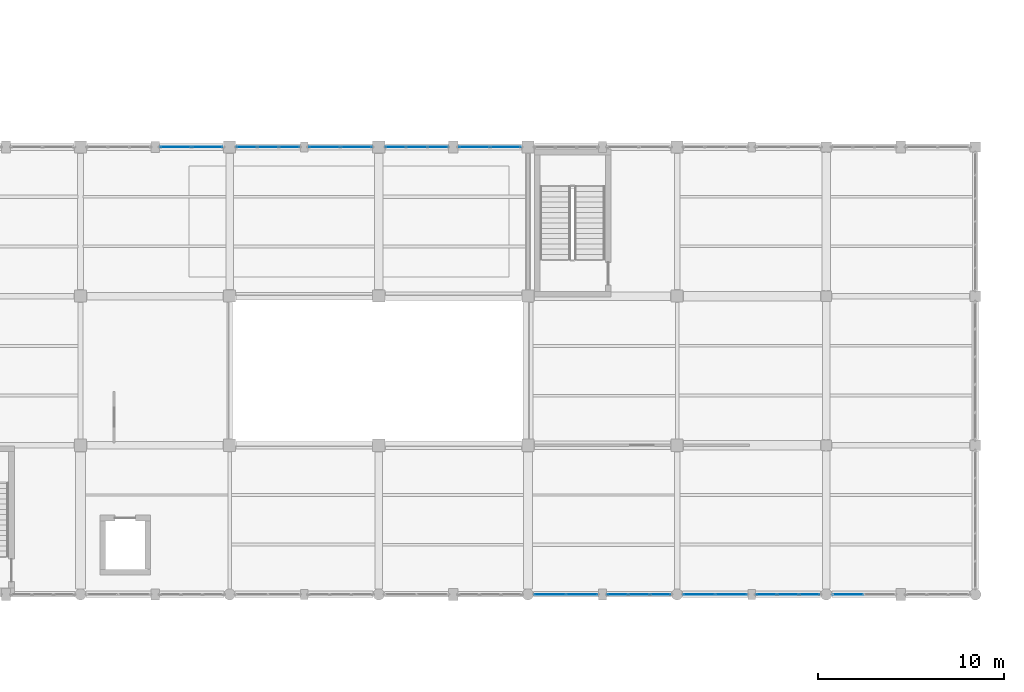
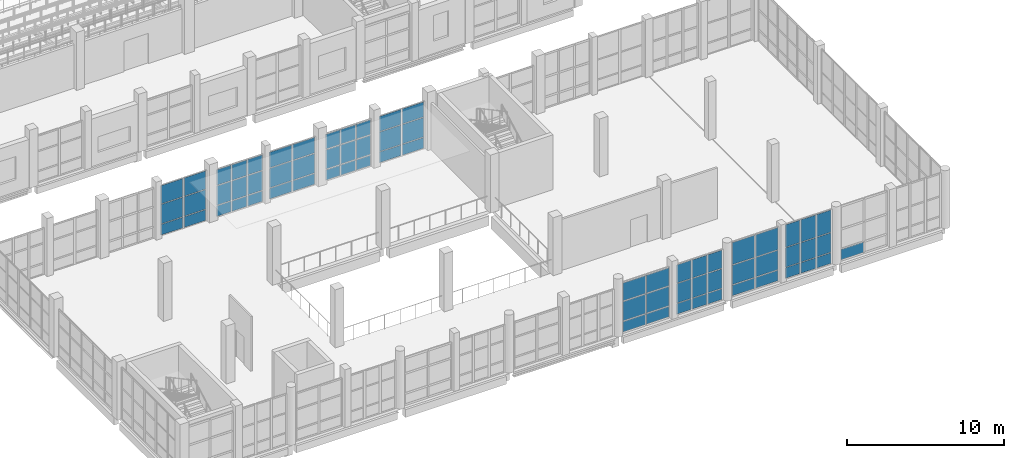
# One storey, part 117 of 183: 67 plates, 10 elements without a shape of their own.
"""IFC4 building model written with IfcOpenShell, lengths in metres."""

from ifc_helpers import new_model, si_unit, direction, frame, origin, origin_2d, place, context, subcontext, project, spatial, rectangle, extrude, material, layer, layer_set, type_object, element, aggregate, save


model = new_model("IFC4")

# Units and contexts
model_context = context("Model", 3, precision=1e-05, world=origin(), true_north=direction((0.0, 1.0)))
body_context = subcontext(model_context, "Body", "Model", "MODEL_VIEW")
ifc_project = project(units=[si_unit("LENGTHUNIT", "METRE"), si_unit("AREAUNIT", "SQUARE_METRE"), si_unit("VOLUMEUNIT", "CUBIC_METRE"), si_unit("PLANEANGLEUNIT", "RADIAN"), si_unit("MASSUNIT", "GRAM", prefix="KILO")], contexts=[model_context])

# Site, building, storey
site_placement = place(None, origin())
site = spatial("IfcSite", under=ifc_project, at=site_placement, CompositionType="ELEMENT")
building_placement = place(site_placement, origin())
building = spatial("IfcBuilding", under=site, at=building_placement, Name="Luwemba Playhouse", CompositionType="ELEMENT")
storey_placement = place(building_placement, frame((0.0, 0.0, 4.800048828125)))
storey = spatial("IfcBuildingStorey", under=building, at=storey_placement, Name="L01", CompositionType="ELEMENT", Elevation=4.800048828125)

# Curtain wall, plates
ifc_material = material(Name="Solar-control double glazing", Category="glass")
curtain_wall_type_1 = type_object("IfcCurtainWallType", Name="CW-CW95", PredefinedType="USERDEFINED", material=ifc_material)
curtain_wall_1_placement = place(storey_placement, origin())
curtain_wall_1 = element("IfcCurtainWall", 1, at=curtain_wall_1_placement, inside=storey, type_object=curtain_wall_type_1, Name="L01 V5W unitised curtain wall 126", ObjectType="UNITISED GLAZING", PredefinedType="USERDEFINED")
ifc_layer_1 = layer(ifc_material, 0.02392578125)
ifc_layer_set_1 = layer_set([ifc_layer_1], Name="Solar-control double glazing")
plate_type_1 = type_object("IfcPlateType", Name="CWP-P1", PredefinedType="CURTAIN_PANEL", material=ifc_layer_set_1)
plate_1_placement = place(storey_placement, frame((20.919189453125, 27.0, 0.059814453125), z_axis=(0.0, 0.0, 1.0), x_axis=(1.0, 0.0, 0.0)))
plate_1 = element("IfcPlate", 2, at=plate_1_placement, type_object=plate_type_1, Name="CW95 panel 1.1", PredefinedType="CURTAIN_PANEL", context=body_context, shape_type="SweptSolid", body=[
    extrude(rectangle(XDim=1.068359375, YDim=0.02392578125, at=origin_2d()), origin(), (0.0, 0.0, 1.0), 0.81005859375),
])
plate_2_placement = place(storey_placement, frame((20.919189453125, 27.0, 0.93017578125), z_axis=(0.0, 0.0, 1.0), x_axis=(1.0, 0.0, 0.0)))
plate_2 = element("IfcPlate", 3, at=plate_2_placement, type_object=plate_type_1, Name="CW95 panel 1.2", PredefinedType="CURTAIN_PANEL", context=body_context, shape_type="SweptSolid", body=[
    extrude(rectangle(XDim=1.068359375, YDim=0.02392578125, at=origin_2d()), origin(), (0.0, 0.0, 1.0), 1.489990234375),
])
plate_3_placement = place(storey_placement, frame((20.919189453125, 27.0, 2.47998046875), z_axis=(0.0, 0.0, 1.0), x_axis=(1.0, 0.0, 0.0)))
plate_3 = element("IfcPlate", 4, at=plate_3_placement, type_object=plate_type_1, Name="CW95 panel 1.3", PredefinedType="CURTAIN_PANEL", context=body_context, shape_type="SweptSolid", body=[
    extrude(rectangle(XDim=1.068359375, YDim=0.02392578125, at=origin_2d()), origin(), (0.0, 0.0, 1.0), 1.195068359375),
])
plate_4_placement = place(storey_placement, frame((22.0625, 27.0, 0.059814453125), z_axis=(0.0, 0.0, 1.0), x_axis=(1.0, 0.0, 0.0)))
plate_4 = element("IfcPlate", 5, at=plate_4_placement, type_object=plate_type_1, Name="CW95 panel 2.1", PredefinedType="CURTAIN_PANEL", context=body_context, shape_type="SweptSolid", body=[
    extrude(rectangle(XDim=1.098388671875, YDim=0.02392578125, at=origin_2d()), origin(), (0.0, 0.0, 1.0), 0.81005859375),
])
plate_5_placement = place(storey_placement, frame((22.0625, 27.0, 0.93017578125), z_axis=(0.0, 0.0, 1.0), x_axis=(1.0, 0.0, 0.0)))
plate_5 = element("IfcPlate", 6, at=plate_5_placement, type_object=plate_type_1, Name="CW95 panel 2.2", PredefinedType="CURTAIN_PANEL", context=body_context, shape_type="SweptSolid", body=[
    extrude(rectangle(XDim=1.098388671875, YDim=0.02392578125, at=origin_2d()), origin(), (0.0, 0.0, 1.0), 1.489990234375),
])
plate_6_placement = place(storey_placement, frame((22.0625, 27.0, 2.47998046875), z_axis=(0.0, 0.0, 1.0), x_axis=(1.0, 0.0, 0.0)))
plate_6 = element("IfcPlate", 7, at=plate_6_placement, type_object=plate_type_1, Name="CW95 panel 2.3", PredefinedType="CURTAIN_PANEL", context=body_context, shape_type="SweptSolid", body=[
    extrude(rectangle(XDim=1.098388671875, YDim=0.02392578125, at=origin_2d()), origin(), (0.0, 0.0, 1.0), 1.195068359375),
])
plate_7_placement = place(storey_placement, frame((23.205810546875, 27.0, 0.059814453125), z_axis=(0.0, 0.0, 1.0), x_axis=(1.0, 0.0, 0.0)))
plate_7 = element("IfcPlate", 8, at=plate_7_placement, type_object=plate_type_1, Name="CW95 panel 3.1", PredefinedType="CURTAIN_PANEL", context=body_context, shape_type="SweptSolid", body=[
    extrude(rectangle(XDim=1.068359375, YDim=0.02392578125, at=origin_2d()), origin(), (0.0, 0.0, 1.0), 0.81005859375),
])
plate_8_placement = place(storey_placement, frame((23.205810546875, 27.0, 0.93017578125), z_axis=(0.0, 0.0, 1.0), x_axis=(1.0, 0.0, 0.0)))
plate_8 = element("IfcPlate", 9, at=plate_8_placement, type_object=plate_type_1, Name="CW95 panel 3.2", PredefinedType="CURTAIN_PANEL", context=body_context, shape_type="SweptSolid", body=[
    extrude(rectangle(XDim=1.068359375, YDim=0.02392578125, at=origin_2d()), origin(), (0.0, 0.0, 1.0), 1.489990234375),
])
plate_9_placement = place(storey_placement, frame((23.205810546875, 27.0, 2.47998046875), z_axis=(0.0, 0.0, 1.0), x_axis=(1.0, 0.0, 0.0)))
plate_9 = element("IfcPlate", 10, at=plate_9_placement, type_object=plate_type_1, Name="CW95 panel 3.3", PredefinedType="CURTAIN_PANEL", context=body_context, shape_type="SweptSolid", body=[
    extrude(rectangle(XDim=1.068359375, YDim=0.02392578125, at=origin_2d()), origin(), (0.0, 0.0, 1.0), 1.195068359375),
])
aggregate(curtain_wall_1, [plate_1, plate_2, plate_3, plate_4, plate_5, plate_6, plate_7, plate_8, plate_9])

curtain_wall_type_2 = type_object("IfcCurtainWallType", Name="CW-CW110", PredefinedType="USERDEFINED", material=ifc_material)
curtain_wall_2_placement = place(storey_placement, origin())
curtain_wall_2 = element("IfcCurtainWall", 11, at=curtain_wall_2_placement, inside=storey, type_object=curtain_wall_type_2, Name="L01 V5W unitised curtain wall 142", ObjectType="UNITISED GLAZING", PredefinedType="USERDEFINED")
plate_10_placement = place(storey_placement, frame((46.909912109375, 3.0, 0.059814453125), z_axis=(0.0, 0.0, 1.0), x_axis=(-1.0, 0.0, 0.0)))
plate_10 = element("IfcPlate", 12, at=plate_10_placement, type_object=plate_type_1, Name="CW110 panel 1.1", PredefinedType="CURTAIN_PANEL", context=body_context, shape_type="SweptSolid", body=[
    extrude(rectangle(XDim=1.659912109375, YDim=0.02392578125, at=origin_2d()), origin(), (0.0, 0.0, 1.0), 0.81005859375),
])
plate_11_placement = place(storey_placement, frame((46.909912109375, 3.0, 0.93017578125), z_axis=(0.0, 0.0, 1.0), x_axis=(-1.0, 0.0, 0.0)))
plate_11 = element("IfcPlate", 13, at=plate_11_placement, type_object=plate_type_1, Name="CW110 panel 1.2", PredefinedType="CURTAIN_PANEL", context=body_context, shape_type="SweptSolid", body=[
    extrude(rectangle(XDim=1.659912109375, YDim=0.02392578125, at=origin_2d()), origin(), (0.0, 0.0, 1.0), 1.489990234375),
])
plate_12_placement = place(storey_placement, frame((46.909912109375, 3.0, 2.47998046875), z_axis=(0.0, 0.0, 1.0), x_axis=(-1.0, 0.0, 0.0)))
plate_12 = element("IfcPlate", 14, at=plate_12_placement, type_object=plate_type_1, Name="CW110 panel 1.3", PredefinedType="CURTAIN_PANEL", context=body_context, shape_type="SweptSolid", body=[
    extrude(rectangle(XDim=1.659912109375, YDim=0.02392578125, at=origin_2d()), origin(), (0.0, 0.0, 1.0), 1.7099609375),
])
plate_13_placement = place(storey_placement, frame((45.18994140625, 3.0, 0.059814453125), z_axis=(0.0, 0.0, 1.0), x_axis=(-1.0, 0.0, 0.0)))
plate_13 = element("IfcPlate", 15, at=plate_13_placement, type_object=plate_type_1, Name="CW110 panel 2.1", PredefinedType="CURTAIN_PANEL", context=body_context, shape_type="SweptSolid", body=[
    extrude(rectangle(XDim=1.659912109375, YDim=0.02392578125, at=origin_2d()), origin(), (0.0, 0.0, 1.0), 0.81005859375),
])
plate_14_placement = place(storey_placement, frame((45.18994140625, 3.0, 0.93017578125), z_axis=(0.0, 0.0, 1.0), x_axis=(-1.0, 0.0, 0.0)))
plate_14 = element("IfcPlate", 16, at=plate_14_placement, type_object=plate_type_1, Name="CW110 panel 2.2", PredefinedType="CURTAIN_PANEL", context=body_context, shape_type="SweptSolid", body=[
    extrude(rectangle(XDim=1.659912109375, YDim=0.02392578125, at=origin_2d()), origin(), (0.0, 0.0, 1.0), 1.489990234375),
])
plate_15_placement = place(storey_placement, frame((45.18994140625, 3.0, 2.47998046875), z_axis=(0.0, 0.0, 1.0), x_axis=(-1.0, 0.0, 0.0)))
plate_15 = element("IfcPlate", 17, at=plate_15_placement, type_object=plate_type_1, Name="CW110 panel 2.3", PredefinedType="CURTAIN_PANEL", context=body_context, shape_type="SweptSolid", body=[
    extrude(rectangle(XDim=1.659912109375, YDim=0.02392578125, at=origin_2d()), origin(), (0.0, 0.0, 1.0), 1.7099609375),
])
aggregate(curtain_wall_2, [plate_10, plate_11, plate_12, plate_13, plate_14, plate_15])

curtain_wall_type_3 = type_object("IfcCurtainWallType", Name="CW-CW96", PredefinedType="USERDEFINED", material=ifc_material)
curtain_wall_3_placement = place(storey_placement, origin())
curtain_wall_3 = element("IfcCurtainWall", 18, at=curtain_wall_3_placement, inside=storey, type_object=curtain_wall_type_3, Name="L01 V5W unitised curtain wall 127", ObjectType="UNITISED GLAZING", PredefinedType="USERDEFINED")
ifc_layer_2 = layer(ifc_material, 0.028076171875)
ifc_layer_set_2 = layer_set([ifc_layer_2], Name="Solar-control double glazing")
plate_type_2 = type_object("IfcPlateType", Name="CWP-P2", PredefinedType="CURTAIN_PANEL", material=ifc_layer_set_2)
plate_16_placement = place(storey_placement, frame((25.0849609375, 27.0, 0.054931640625), z_axis=(0.0, 0.0, 1.0), x_axis=(1.0, 0.0, 0.0)))
plate_16 = element("IfcPlate", 19, at=plate_16_placement, type_object=plate_type_2, Name="CW96 panel 1.1", PredefinedType="CURTAIN_PANEL", context=body_context, shape_type="SweptSolid", body=[
    extrude(rectangle(XDim=1.639892578125, YDim=0.028076171875, at=origin_2d()), origin(), (0.0, 0.0, 1.0), 0.8173828125),
])
plate_17_placement = place(storey_placement, frame((25.0849609375, 27.0, 0.927490234375), z_axis=(0.0, 0.0, 1.0), x_axis=(1.0, 0.0, 0.0)))
plate_17 = element("IfcPlate", 20, at=plate_17_placement, type_object=plate_type_2, Name="CW96 panel 1.2", PredefinedType="CURTAIN_PANEL", context=body_context, shape_type="SweptSolid", body=[
    extrude(rectangle(XDim=1.639892578125, YDim=0.028076171875, at=origin_2d()), origin(), (0.0, 0.0, 1.0), 1.4951171875),
])
plate_18_placement = place(storey_placement, frame((25.0849609375, 27.0, 2.4775390625), z_axis=(0.0, 0.0, 1.0), x_axis=(1.0, 0.0, 0.0)))
plate_18 = element("IfcPlate", 21, at=plate_18_placement, type_object=plate_type_2, Name="CW96 panel 1.3", PredefinedType="CURTAIN_PANEL", context=body_context, shape_type="SweptSolid", body=[
    extrude(rectangle(XDim=1.639892578125, YDim=0.028076171875, at=origin_2d()), origin(), (0.0, 0.0, 1.0), 1.202392578125),
])
plate_19_placement = place(storey_placement, frame((26.7900390625, 27.0, 0.054931640625), z_axis=(0.0, 0.0, 1.0), x_axis=(1.0, 0.0, 0.0)))
plate_19 = element("IfcPlate", 22, at=plate_19_placement, type_object=plate_type_2, Name="CW96 panel 2.1", PredefinedType="CURTAIN_PANEL", context=body_context, shape_type="SweptSolid", body=[
    extrude(rectangle(XDim=1.639892578125, YDim=0.028076171875, at=origin_2d()), origin(), (0.0, 0.0, 1.0), 0.8173828125),
])
plate_20_placement = place(storey_placement, frame((26.7900390625, 27.0, 0.927490234375), z_axis=(0.0, 0.0, 1.0), x_axis=(1.0, 0.0, 0.0)))
plate_20 = element("IfcPlate", 23, at=plate_20_placement, type_object=plate_type_2, Name="CW96 panel 2.2", PredefinedType="CURTAIN_PANEL", context=body_context, shape_type="SweptSolid", body=[
    extrude(rectangle(XDim=1.639892578125, YDim=0.028076171875, at=origin_2d()), origin(), (0.0, 0.0, 1.0), 1.4951171875),
])
plate_21_placement = place(storey_placement, frame((26.7900390625, 27.0, 2.4775390625), z_axis=(0.0, 0.0, 1.0), x_axis=(1.0, 0.0, 0.0)))
plate_21 = element("IfcPlate", 24, at=plate_21_placement, type_object=plate_type_2, Name="CW96 panel 2.3", PredefinedType="CURTAIN_PANEL", context=body_context, shape_type="SweptSolid", body=[
    extrude(rectangle(XDim=1.639892578125, YDim=0.028076171875, at=origin_2d()), origin(), (0.0, 0.0, 1.0), 1.202392578125),
])
aggregate(curtain_wall_3, [plate_16, plate_17, plate_18, plate_19, plate_20, plate_21])

curtain_wall_type_4 = type_object("IfcCurtainWallType", Name="CW-CW51", PredefinedType="USERDEFINED", material=ifc_material)
curtain_wall_4_placement = place(storey_placement, origin())
curtain_wall_4 = element("IfcCurtainWall", 25, at=curtain_wall_4_placement, inside=storey, type_object=curtain_wall_type_4, Name="L01 V5W unitised curtain wall 143", ObjectType="UNITISED GLAZING", PredefinedType="USERDEFINED")
plate_22_placement = place(storey_placement, frame((43.1044921875, 3.0, 0.054931640625), z_axis=(0.0, 0.0, 1.0), x_axis=(-1.0, 0.0, 0.0)))
plate_22 = element("IfcPlate", 26, at=plate_22_placement, type_object=plate_type_2, Name="CW51 panel 1.1", PredefinedType="CURTAIN_PANEL", context=body_context, shape_type="SweptSolid", body=[
    extrude(rectangle(XDim=1.060791015625, YDim=0.028076171875, at=origin_2d()), origin(), (0.0, 0.0, 1.0), 0.8173828125),
])
plate_23_placement = place(storey_placement, frame((43.1044921875, 3.0, 0.927490234375), z_axis=(0.0, 0.0, 1.0), x_axis=(-1.0, 0.0, 0.0)))
plate_23 = element("IfcPlate", 27, at=plate_23_placement, type_object=plate_type_2, Name="CW51 panel 1.2", PredefinedType="CURTAIN_PANEL", context=body_context, shape_type="SweptSolid", body=[
    extrude(rectangle(XDim=1.060791015625, YDim=0.028076171875, at=origin_2d()), origin(), (0.0, 0.0, 1.0), 1.4951171875),
])
plate_24_placement = place(storey_placement, frame((43.1044921875, 3.0, 2.4775390625), z_axis=(0.0, 0.0, 1.0), x_axis=(-1.0, 0.0, 0.0)))
plate_24 = element("IfcPlate", 28, at=plate_24_placement, type_object=plate_type_2, Name="CW51 panel 1.3", PredefinedType="CURTAIN_PANEL", context=body_context, shape_type="SweptSolid", body=[
    extrude(rectangle(XDim=1.060791015625, YDim=0.028076171875, at=origin_2d()), origin(), (0.0, 0.0, 1.0), 1.402587890625),
])
plate_25_placement = place(storey_placement, frame((41.96240234375, 3.0, 0.054931640625), z_axis=(0.0, 0.0, 1.0), x_axis=(-1.0, 0.0, 0.0)))
plate_25 = element("IfcPlate", 29, at=plate_25_placement, type_object=plate_type_2, Name="CW51 panel 2.1", PredefinedType="CURTAIN_PANEL", context=body_context, shape_type="SweptSolid", body=[
    extrude(rectangle(XDim=1.09326171875, YDim=0.028076171875, at=origin_2d()), origin(), (0.0, 0.0, 1.0), 0.8173828125),
])
plate_26_placement = place(storey_placement, frame((41.96240234375, 3.0, 0.927490234375), z_axis=(0.0, 0.0, 1.0), x_axis=(-1.0, 0.0, 0.0)))
plate_26 = element("IfcPlate", 30, at=plate_26_placement, type_object=plate_type_2, Name="CW51 panel 2.2", PredefinedType="CURTAIN_PANEL", context=body_context, shape_type="SweptSolid", body=[
    extrude(rectangle(XDim=1.09326171875, YDim=0.028076171875, at=origin_2d()), origin(), (0.0, 0.0, 1.0), 1.4951171875),
])
plate_27_placement = place(storey_placement, frame((41.96240234375, 3.0, 2.4775390625), z_axis=(0.0, 0.0, 1.0), x_axis=(-1.0, 0.0, 0.0)))
plate_27 = element("IfcPlate", 31, at=plate_27_placement, type_object=plate_type_2, Name="CW51 panel 2.3", PredefinedType="CURTAIN_PANEL", context=body_context, shape_type="SweptSolid", body=[
    extrude(rectangle(XDim=1.09326171875, YDim=0.028076171875, at=origin_2d()), origin(), (0.0, 0.0, 1.0), 1.402587890625),
])
plate_28_placement = place(storey_placement, frame((40.8203125, 3.0, 0.054931640625), z_axis=(0.0, 0.0, 1.0), x_axis=(-1.0, 0.0, 0.0)))
plate_28 = element("IfcPlate", 32, at=plate_28_placement, type_object=plate_type_2, Name="CW51 panel 3.1", PredefinedType="CURTAIN_PANEL", context=body_context, shape_type="SweptSolid", body=[
    extrude(rectangle(XDim=1.060791015625, YDim=0.028076171875, at=origin_2d()), origin(), (0.0, 0.0, 1.0), 0.8173828125),
])
plate_29_placement = place(storey_placement, frame((40.8203125, 3.0, 0.927490234375), z_axis=(0.0, 0.0, 1.0), x_axis=(-1.0, 0.0, 0.0)))
plate_29 = element("IfcPlate", 33, at=plate_29_placement, type_object=plate_type_2, Name="CW51 panel 3.2", PredefinedType="CURTAIN_PANEL", context=body_context, shape_type="SweptSolid", body=[
    extrude(rectangle(XDim=1.060791015625, YDim=0.028076171875, at=origin_2d()), origin(), (0.0, 0.0, 1.0), 1.4951171875),
])
plate_30_placement = place(storey_placement, frame((40.8203125, 3.0, 2.4775390625), z_axis=(0.0, 0.0, 1.0), x_axis=(-1.0, 0.0, 0.0)))
plate_30 = element("IfcPlate", 34, at=plate_30_placement, type_object=plate_type_2, Name="CW51 panel 3.3", PredefinedType="CURTAIN_PANEL", context=body_context, shape_type="SweptSolid", body=[
    extrude(rectangle(XDim=1.060791015625, YDim=0.028076171875, at=origin_2d()), origin(), (0.0, 0.0, 1.0), 1.402587890625),
])
aggregate(curtain_wall_4, [plate_22, plate_23, plate_24, plate_25, plate_26, plate_27, plate_28, plate_29, plate_30])

curtain_wall_type_5 = type_object("IfcCurtainWallType", Name="CW-CW97", PredefinedType="USERDEFINED", material=ifc_material)
curtain_wall_5_placement = place(storey_placement, origin())
curtain_wall_5 = element("IfcCurtainWall", 35, at=curtain_wall_5_placement, inside=storey, type_object=curtain_wall_type_5, Name="L01 V5W unitised curtain wall 128", ObjectType="UNITISED GLAZING", PredefinedType="USERDEFINED")
ifc_layer_3 = layer(ifc_material, 0.031982421875)
ifc_layer_set_3 = layer_set([ifc_layer_3], Name="Solar-control double glazing")
plate_type_3 = type_object("IfcPlateType", Name="CWP-P3", PredefinedType="CURTAIN_PANEL", material=ifc_layer_set_3)
plate_31_placement = place(storey_placement, frame((28.90966796875, 27.0, 0.06494140625), z_axis=(0.0, 0.0, 1.0), x_axis=(1.0, 0.0, 0.0)))
plate_31 = element("IfcPlate", 36, at=plate_31_placement, type_object=plate_type_3, Name="CW97 panel 1.1", PredefinedType="CURTAIN_PANEL", context=body_context, shape_type="SweptSolid", body=[
    extrude(rectangle(XDim=1.05908203125, YDim=0.031982421875, at=origin_2d()), origin(), (0.0, 0.0, 1.0), 0.802490234375),
])
plate_32_placement = place(storey_placement, frame((28.90966796875, 27.0, 0.9326171875), z_axis=(0.0, 0.0, 1.0), x_axis=(1.0, 0.0, 0.0)))
plate_32 = element("IfcPlate", 37, at=plate_32_placement, type_object=plate_type_3, Name="CW97 panel 1.2", PredefinedType="CURTAIN_PANEL", context=body_context, shape_type="SweptSolid", body=[
    extrude(rectangle(XDim=1.05908203125, YDim=0.031982421875, at=origin_2d()), origin(), (0.0, 0.0, 1.0), 1.485107421875),
])
plate_33_placement = place(storey_placement, frame((28.90966796875, 27.0, 2.482421875), z_axis=(0.0, 0.0, 1.0), x_axis=(1.0, 0.0, 0.0)))
plate_33 = element("IfcPlate", 38, at=plate_33_placement, type_object=plate_type_3, Name="CW97 panel 1.3", PredefinedType="CURTAIN_PANEL", context=body_context, shape_type="SweptSolid", body=[
    extrude(rectangle(XDim=1.05908203125, YDim=0.031982421875, at=origin_2d()), origin(), (0.0, 0.0, 1.0), 1.137451171875),
])
plate_34_placement = place(storey_placement, frame((30.03759765625, 27.0, 0.06494140625), z_axis=(0.0, 0.0, 1.0), x_axis=(1.0, 0.0, 0.0)))
plate_34 = element("IfcPlate", 39, at=plate_34_placement, type_object=plate_type_3, Name="CW97 panel 2.1", PredefinedType="CURTAIN_PANEL", context=body_context, shape_type="SweptSolid", body=[
    extrude(rectangle(XDim=1.086669921875, YDim=0.031982421875, at=origin_2d()), origin(), (0.0, 0.0, 1.0), 0.802490234375),
])
plate_35_placement = place(storey_placement, frame((30.03759765625, 27.0, 0.9326171875), z_axis=(0.0, 0.0, 1.0), x_axis=(1.0, 0.0, 0.0)))
plate_35 = element("IfcPlate", 40, at=plate_35_placement, type_object=plate_type_3, Name="CW97 panel 2.2", PredefinedType="CURTAIN_PANEL", context=body_context, shape_type="SweptSolid", body=[
    extrude(rectangle(XDim=1.086669921875, YDim=0.031982421875, at=origin_2d()), origin(), (0.0, 0.0, 1.0), 1.485107421875),
])
plate_36_placement = place(storey_placement, frame((30.03759765625, 27.0, 2.482421875), z_axis=(0.0, 0.0, 1.0), x_axis=(1.0, 0.0, 0.0)))
plate_36 = element("IfcPlate", 41, at=plate_36_placement, type_object=plate_type_3, Name="CW97 panel 2.3", PredefinedType="CURTAIN_PANEL", context=body_context, shape_type="SweptSolid", body=[
    extrude(rectangle(XDim=1.086669921875, YDim=0.031982421875, at=origin_2d()), origin(), (0.0, 0.0, 1.0), 1.137451171875),
])
plate_37_placement = place(storey_placement, frame((31.16552734375, 27.0, 0.06494140625), z_axis=(0.0, 0.0, 1.0), x_axis=(1.0, 0.0, 0.0)))
plate_37 = element("IfcPlate", 42, at=plate_37_placement, type_object=plate_type_3, Name="CW97 panel 3.1", PredefinedType="CURTAIN_PANEL", context=body_context, shape_type="SweptSolid", body=[
    extrude(rectangle(XDim=1.05908203125, YDim=0.031982421875, at=origin_2d()), origin(), (0.0, 0.0, 1.0), 0.802490234375),
])
plate_38_placement = place(storey_placement, frame((31.16552734375, 27.0, 0.9326171875), z_axis=(0.0, 0.0, 1.0), x_axis=(1.0, 0.0, 0.0)))
plate_38 = element("IfcPlate", 43, at=plate_38_placement, type_object=plate_type_3, Name="CW97 panel 3.2", PredefinedType="CURTAIN_PANEL", context=body_context, shape_type="SweptSolid", body=[
    extrude(rectangle(XDim=1.05908203125, YDim=0.031982421875, at=origin_2d()), origin(), (0.0, 0.0, 1.0), 1.485107421875),
])
plate_39_placement = place(storey_placement, frame((31.16552734375, 27.0, 2.482421875), z_axis=(0.0, 0.0, 1.0), x_axis=(1.0, 0.0, 0.0)))
plate_39 = element("IfcPlate", 44, at=plate_39_placement, type_object=plate_type_3, Name="CW97 panel 3.3", PredefinedType="CURTAIN_PANEL", context=body_context, shape_type="SweptSolid", body=[
    extrude(rectangle(XDim=1.05908203125, YDim=0.031982421875, at=origin_2d()), origin(), (0.0, 0.0, 1.0), 1.137451171875),
])
aggregate(curtain_wall_5, [plate_31, plate_32, plate_33, plate_34, plate_35, plate_36, plate_37, plate_38, plate_39])

# Curtain wall, plate
curtain_wall_type_6 = type_object("IfcCurtainWallType", Name="CW-CW108", PredefinedType="USERDEFINED", material=ifc_material)
curtain_wall_6_placement = place(storey_placement, origin())
curtain_wall_6 = element("IfcCurtainWall", 45, at=curtain_wall_6_placement, inside=storey, type_object=curtain_wall_type_6, Name="L01 V5W unitised curtain wall 140", ObjectType="UNITISED GLAZING", PredefinedType="USERDEFINED")
plate_40_placement = place(storey_placement, frame((53.17626953125, 3.0, 0.06494140625), z_axis=(0.0, 0.0, 1.0), x_axis=(-1.0, 0.0, 0.0)))
plate_40 = element("IfcPlate", 46, at=plate_40_placement, type_object=plate_type_3, Name="CW108 panel 2.1", PredefinedType="CURTAIN_PANEL", context=body_context, shape_type="SweptSolid", body=[
    extrude(rectangle(XDim=1.642578125, YDim=0.031982421875, at=origin_2d()), origin(), (0.0, 0.0, 1.0), 0.802490234375),
])
aggregate(curtain_wall_6, [plate_40])

# Curtain wall, plates
curtain_wall_type_7 = type_object("IfcCurtainWallType", Name="CW-CW86", PredefinedType="USERDEFINED", material=ifc_material)
curtain_wall_7_placement = place(storey_placement, origin())
curtain_wall_7 = element("IfcCurtainWall", 47, at=curtain_wall_7_placement, inside=storey, type_object=curtain_wall_type_7, Name="L01 V5W unitised curtain wall 144", ObjectType="UNITISED GLAZING", PredefinedType="USERDEFINED")
plate_41_placement = place(storey_placement, frame((38.892578125, 3.0, 0.06494140625), z_axis=(0.0, 0.0, 1.0), x_axis=(-1.0, 0.0, 0.0)))
plate_41 = element("IfcPlate", 48, at=plate_41_placement, type_object=plate_type_3, Name="CW86 panel 1.1", PredefinedType="CURTAIN_PANEL", context=body_context, shape_type="SweptSolid", body=[
    extrude(rectangle(XDim=1.655029296875, YDim=0.031982421875, at=origin_2d()), origin(), (0.0, 0.0, 1.0), 0.802490234375),
])
plate_42_placement = place(storey_placement, frame((38.892578125, 3.0, 0.9326171875), z_axis=(0.0, 0.0, 1.0), x_axis=(-1.0, 0.0, 0.0)))
plate_42 = element("IfcPlate", 49, at=plate_42_placement, type_object=plate_type_3, Name="CW86 panel 1.2", PredefinedType="CURTAIN_PANEL", context=body_context, shape_type="SweptSolid", body=[
    extrude(rectangle(XDim=1.655029296875, YDim=0.031982421875, at=origin_2d()), origin(), (0.0, 0.0, 1.0), 1.485107421875),
])
plate_43_placement = place(storey_placement, frame((38.892578125, 3.0, 2.482421875), z_axis=(0.0, 0.0, 1.0), x_axis=(-1.0, 0.0, 0.0)))
plate_43 = element("IfcPlate", 50, at=plate_43_placement, type_object=plate_type_3, Name="CW86 panel 1.3", PredefinedType="CURTAIN_PANEL", context=body_context, shape_type="SweptSolid", body=[
    extrude(rectangle(XDim=1.655029296875, YDim=0.031982421875, at=origin_2d()), origin(), (0.0, 0.0, 1.0), 1.387451171875),
])
plate_44_placement = place(storey_placement, frame((37.1826171875, 3.0, 0.06494140625), z_axis=(0.0, 0.0, 1.0), x_axis=(-1.0, 0.0, 0.0)))
plate_44 = element("IfcPlate", 51, at=plate_44_placement, type_object=plate_type_3, Name="CW86 panel 2.1", PredefinedType="CURTAIN_PANEL", context=body_context, shape_type="SweptSolid", body=[
    extrude(rectangle(XDim=1.655029296875, YDim=0.031982421875, at=origin_2d()), origin(), (0.0, 0.0, 1.0), 0.802490234375),
])
plate_45_placement = place(storey_placement, frame((37.1826171875, 3.0, 0.9326171875), z_axis=(0.0, 0.0, 1.0), x_axis=(-1.0, 0.0, 0.0)))
plate_45 = element("IfcPlate", 52, at=plate_45_placement, type_object=plate_type_3, Name="CW86 panel 2.2", PredefinedType="CURTAIN_PANEL", context=body_context, shape_type="SweptSolid", body=[
    extrude(rectangle(XDim=1.655029296875, YDim=0.031982421875, at=origin_2d()), origin(), (0.0, 0.0, 1.0), 1.485107421875),
])
plate_46_placement = place(storey_placement, frame((37.1826171875, 3.0, 2.482421875), z_axis=(0.0, 0.0, 1.0), x_axis=(-1.0, 0.0, 0.0)))
plate_46 = element("IfcPlate", 53, at=plate_46_placement, type_object=plate_type_3, Name="CW86 panel 2.3", PredefinedType="CURTAIN_PANEL", context=body_context, shape_type="SweptSolid", body=[
    extrude(rectangle(XDim=1.655029296875, YDim=0.031982421875, at=origin_2d()), origin(), (0.0, 0.0, 1.0), 1.387451171875),
])
aggregate(curtain_wall_7, [plate_41, plate_42, plate_43, plate_44, plate_45, plate_46])

curtain_wall_type_8 = type_object("IfcCurtainWallType", Name="CW-CW63", PredefinedType="USERDEFINED", material=ifc_material)
curtain_wall_8_placement = place(storey_placement, origin())
curtain_wall_8 = element("IfcCurtainWall", 54, at=curtain_wall_8_placement, inside=storey, type_object=curtain_wall_type_8, Name="L01 V5W unitised curtain wall 125", ObjectType="UNITISED GLAZING", PredefinedType="USERDEFINED")
ifc_layer_4 = layer(ifc_material, 0.035888671875)
ifc_layer_set_4 = layer_set([ifc_layer_4], Name="Solar-control double glazing")
plate_type_4 = type_object("IfcPlateType", Name="CWP-P4", PredefinedType="CURTAIN_PANEL", material=ifc_layer_set_4)
plate_47_placement = place(storey_placement, frame((17.10498046875, 27.0, 0.0498046875), z_axis=(0.0, 0.0, 1.0), x_axis=(1.0, 0.0, 0.0)))
plate_47 = element("IfcPlate", 55, at=plate_47_placement, type_object=plate_type_4, Name="CW63 panel 1.1", PredefinedType="CURTAIN_PANEL", context=body_context, shape_type="SweptSolid", body=[
    extrude(rectangle(XDim=1.6201171875, YDim=0.035888671875, at=origin_2d()), origin(), (0.0, 0.0, 1.0), 0.824951171875),
])
plate_48_placement = place(storey_placement, frame((17.10498046875, 27.0, 0.925048828125), z_axis=(0.0, 0.0, 1.0), x_axis=(1.0, 0.0, 0.0)))
plate_48 = element("IfcPlate", 56, at=plate_48_placement, type_object=plate_type_4, Name="CW63 panel 1.2", PredefinedType="CURTAIN_PANEL", context=body_context, shape_type="SweptSolid", body=[
    extrude(rectangle(XDim=1.6201171875, YDim=0.035888671875, at=origin_2d()), origin(), (0.0, 0.0, 1.0), 1.5),
])
plate_49_placement = place(storey_placement, frame((17.10498046875, 27.0, 2.47509765625), z_axis=(0.0, 0.0, 1.0), x_axis=(1.0, 0.0, 0.0)))
plate_49 = element("IfcPlate", 57, at=plate_49_placement, type_object=plate_type_4, Name="CW63 panel 1.3", PredefinedType="CURTAIN_PANEL", context=body_context, shape_type="SweptSolid", body=[
    extrude(rectangle(XDim=1.6201171875, YDim=0.035888671875, at=origin_2d()), origin(), (0.0, 0.0, 1.0), 1.409912109375),
])
plate_50_placement = place(storey_placement, frame((18.794921875, 27.0, 0.0498046875), z_axis=(0.0, 0.0, 1.0), x_axis=(1.0, 0.0, 0.0)))
plate_50 = element("IfcPlate", 58, at=plate_50_placement, type_object=plate_type_4, Name="CW63 panel 2.1", PredefinedType="CURTAIN_PANEL", context=body_context, shape_type="SweptSolid", body=[
    extrude(rectangle(XDim=1.6201171875, YDim=0.035888671875, at=origin_2d()), origin(), (0.0, 0.0, 1.0), 0.824951171875),
])
plate_51_placement = place(storey_placement, frame((18.794921875, 27.0, 0.925048828125), z_axis=(0.0, 0.0, 1.0), x_axis=(1.0, 0.0, 0.0)))
plate_51 = element("IfcPlate", 59, at=plate_51_placement, type_object=plate_type_4, Name="CW63 panel 2.2", PredefinedType="CURTAIN_PANEL", context=body_context, shape_type="SweptSolid", body=[
    extrude(rectangle(XDim=1.6201171875, YDim=0.035888671875, at=origin_2d()), origin(), (0.0, 0.0, 1.0), 1.5),
])
plate_52_placement = place(storey_placement, frame((18.794921875, 27.0, 2.47509765625), z_axis=(0.0, 0.0, 1.0), x_axis=(1.0, 0.0, 0.0)))
plate_52 = element("IfcPlate", 60, at=plate_52_placement, type_object=plate_type_4, Name="CW63 panel 2.3", PredefinedType="CURTAIN_PANEL", context=body_context, shape_type="SweptSolid", body=[
    extrude(rectangle(XDim=1.6201171875, YDim=0.035888671875, at=origin_2d()), origin(), (0.0, 0.0, 1.0), 1.409912109375),
])
aggregate(curtain_wall_8, [plate_47, plate_48, plate_49, plate_50, plate_51, plate_52])

curtain_wall_type_9 = type_object("IfcCurtainWallType", Name="CW-CW98", PredefinedType="USERDEFINED", material=ifc_material)
curtain_wall_9_placement = place(storey_placement, origin())
curtain_wall_9 = element("IfcCurtainWall", 61, at=curtain_wall_9_placement, inside=storey, type_object=curtain_wall_type_9, Name="L01 V5W unitised curtain wall 129", ObjectType="UNITISED GLAZING", PredefinedType="USERDEFINED")
plate_53_placement = place(storey_placement, frame((33.123779296875, 27.0, 0.0498046875), z_axis=(0.0, 0.0, 1.0), x_axis=(1.0, 0.0, 0.0)))
plate_53 = element("IfcPlate", 62, at=plate_53_placement, type_object=plate_type_4, Name="CW98 panel 1.1", PredefinedType="CURTAIN_PANEL", context=body_context, shape_type="SweptSolid", body=[
    extrude(rectangle(XDim=1.607421875, YDim=0.035888671875, at=origin_2d()), origin(), (0.0, 0.0, 1.0), 0.824951171875),
])
plate_54_placement = place(storey_placement, frame((33.123779296875, 27.0, 0.925048828125), z_axis=(0.0, 0.0, 1.0), x_axis=(1.0, 0.0, 0.0)))
plate_54 = element("IfcPlate", 63, at=plate_54_placement, type_object=plate_type_4, Name="CW98 panel 1.2", PredefinedType="CURTAIN_PANEL", context=body_context, shape_type="SweptSolid", body=[
    extrude(rectangle(XDim=1.607421875, YDim=0.035888671875, at=origin_2d()), origin(), (0.0, 0.0, 1.0), 1.5),
])
plate_55_placement = place(storey_placement, frame((33.123779296875, 27.0, 2.47509765625), z_axis=(0.0, 0.0, 1.0), x_axis=(1.0, 0.0, 0.0)))
plate_55 = element("IfcPlate", 64, at=plate_55_placement, type_object=plate_type_4, Name="CW98 panel 1.3", PredefinedType="CURTAIN_PANEL", context=body_context, shape_type="SweptSolid", body=[
    extrude(rectangle(XDim=1.607421875, YDim=0.035888671875, at=origin_2d()), origin(), (0.0, 0.0, 1.0), 1.159912109375),
])
plate_56_placement = place(storey_placement, frame((34.80126953125, 27.0, 0.0498046875), z_axis=(0.0, 0.0, 1.0), x_axis=(1.0, 0.0, 0.0)))
plate_56 = element("IfcPlate", 65, at=plate_56_placement, type_object=plate_type_4, Name="CW98 panel 2.1", PredefinedType="CURTAIN_PANEL", context=body_context, shape_type="SweptSolid", body=[
    extrude(rectangle(XDim=1.607421875, YDim=0.035888671875, at=origin_2d()), origin(), (0.0, 0.0, 1.0), 0.824951171875),
])
plate_57_placement = place(storey_placement, frame((34.80126953125, 27.0, 0.925048828125), z_axis=(0.0, 0.0, 1.0), x_axis=(1.0, 0.0, 0.0)))
plate_57 = element("IfcPlate", 66, at=plate_57_placement, type_object=plate_type_4, Name="CW98 panel 2.2", PredefinedType="CURTAIN_PANEL", context=body_context, shape_type="SweptSolid", body=[
    extrude(rectangle(XDim=1.607421875, YDim=0.035888671875, at=origin_2d()), origin(), (0.0, 0.0, 1.0), 1.5),
])
plate_58_placement = place(storey_placement, frame((34.80126953125, 27.0, 2.47509765625), z_axis=(0.0, 0.0, 1.0), x_axis=(1.0, 0.0, 0.0)))
plate_58 = element("IfcPlate", 67, at=plate_58_placement, type_object=plate_type_4, Name="CW98 panel 2.3", PredefinedType="CURTAIN_PANEL", context=body_context, shape_type="SweptSolid", body=[
    extrude(rectangle(XDim=1.607421875, YDim=0.035888671875, at=origin_2d()), origin(), (0.0, 0.0, 1.0), 1.159912109375),
])
aggregate(curtain_wall_9, [plate_53, plate_54, plate_55, plate_56, plate_57, plate_58])

curtain_wall_type_10 = type_object("IfcCurtainWallType", Name="CW-CW109", PredefinedType="USERDEFINED", material=ifc_material)
curtain_wall_10_placement = place(storey_placement, origin())
curtain_wall_10 = element("IfcCurtainWall", 68, at=curtain_wall_10_placement, inside=storey, type_object=curtain_wall_type_10, Name="L01 V5W unitised curtain wall 141", ObjectType="UNITISED GLAZING", PredefinedType="USERDEFINED")
plate_59_placement = place(storey_placement, frame((51.09912109375, 3.0, 0.0498046875), z_axis=(0.0, 0.0, 1.0), x_axis=(-1.0, 0.0, 0.0)))
plate_59 = element("IfcPlate", 69, at=plate_59_placement, type_object=plate_type_4, Name="CW109 panel 1.1", PredefinedType="CURTAIN_PANEL", context=body_context, shape_type="SweptSolid", body=[
    extrude(rectangle(XDim=1.061767578125, YDim=0.035888671875, at=origin_2d()), origin(), (0.0, 0.0, 1.0), 0.824951171875),
])
plate_60_placement = place(storey_placement, frame((51.09912109375, 3.0, 0.925048828125), z_axis=(0.0, 0.0, 1.0), x_axis=(-1.0, 0.0, 0.0)))
plate_60 = element("IfcPlate", 70, at=plate_60_placement, type_object=plate_type_4, Name="CW109 panel 1.2", PredefinedType="CURTAIN_PANEL", context=body_context, shape_type="SweptSolid", body=[
    extrude(rectangle(XDim=1.061767578125, YDim=0.035888671875, at=origin_2d()), origin(), (0.0, 0.0, 1.0), 1.5),
])
plate_61_placement = place(storey_placement, frame((51.09912109375, 3.0, 2.474853515625), z_axis=(0.0, 0.0, 1.0), x_axis=(-1.0, 0.0, 0.0)))
plate_61 = element("IfcPlate", 71, at=plate_61_placement, type_object=plate_type_4, Name="CW109 panel 1.3", PredefinedType="CURTAIN_PANEL", context=body_context, shape_type="SweptSolid", body=[
    extrude(rectangle(XDim=1.061767578125, YDim=0.035888671875, at=origin_2d()), origin(), (0.0, 0.0, 1.0), 1.72509765625),
])
plate_62_placement = place(storey_placement, frame((49.949951171875, 3.0, 0.0498046875), z_axis=(0.0, 0.0, 1.0), x_axis=(-1.0, 0.0, 0.0)))
plate_62 = element("IfcPlate", 72, at=plate_62_placement, type_object=plate_type_4, Name="CW109 panel 2.1", PredefinedType="CURTAIN_PANEL", context=body_context, shape_type="SweptSolid", body=[
    extrude(rectangle(XDim=1.0966796875, YDim=0.035888671875, at=origin_2d()), origin(), (0.0, 0.0, 1.0), 0.824951171875),
])
plate_63_placement = place(storey_placement, frame((49.949951171875, 3.0, 0.925048828125), z_axis=(0.0, 0.0, 1.0), x_axis=(-1.0, 0.0, 0.0)))
plate_63 = element("IfcPlate", 73, at=plate_63_placement, type_object=plate_type_4, Name="CW109 panel 2.2", PredefinedType="CURTAIN_PANEL", context=body_context, shape_type="SweptSolid", body=[
    extrude(rectangle(XDim=1.0966796875, YDim=0.035888671875, at=origin_2d()), origin(), (0.0, 0.0, 1.0), 1.5),
])
plate_64_placement = place(storey_placement, frame((49.949951171875, 3.0, 2.474853515625), z_axis=(0.0, 0.0, 1.0), x_axis=(-1.0, 0.0, 0.0)))
plate_64 = element("IfcPlate", 74, at=plate_64_placement, type_object=plate_type_4, Name="CW109 panel 2.3", PredefinedType="CURTAIN_PANEL", context=body_context, shape_type="SweptSolid", body=[
    extrude(rectangle(XDim=1.0966796875, YDim=0.035888671875, at=origin_2d()), origin(), (0.0, 0.0, 1.0), 1.72509765625),
])
plate_65_placement = place(storey_placement, frame((48.80078125, 3.0, 0.0498046875), z_axis=(0.0, 0.0, 1.0), x_axis=(-1.0, 0.0, 0.0)))
plate_65 = element("IfcPlate", 75, at=plate_65_placement, type_object=plate_type_4, Name="CW109 panel 3.1", PredefinedType="CURTAIN_PANEL", context=body_context, shape_type="SweptSolid", body=[
    extrude(rectangle(XDim=1.061767578125, YDim=0.035888671875, at=origin_2d()), origin(), (0.0, 0.0, 1.0), 0.824951171875),
])
plate_66_placement = place(storey_placement, frame((48.80078125, 3.0, 0.925048828125), z_axis=(0.0, 0.0, 1.0), x_axis=(-1.0, 0.0, 0.0)))
plate_66 = element("IfcPlate", 76, at=plate_66_placement, type_object=plate_type_4, Name="CW109 panel 3.2", PredefinedType="CURTAIN_PANEL", context=body_context, shape_type="SweptSolid", body=[
    extrude(rectangle(XDim=1.061767578125, YDim=0.035888671875, at=origin_2d()), origin(), (0.0, 0.0, 1.0), 1.5),
])
plate_67_placement = place(storey_placement, frame((48.80078125, 3.0, 2.474853515625), z_axis=(0.0, 0.0, 1.0), x_axis=(-1.0, 0.0, 0.0)))
plate_67 = element("IfcPlate", 77, at=plate_67_placement, type_object=plate_type_4, Name="CW109 panel 3.3", PredefinedType="CURTAIN_PANEL", context=body_context, shape_type="SweptSolid", body=[
    extrude(rectangle(XDim=1.061767578125, YDim=0.035888671875, at=origin_2d()), origin(), (0.0, 0.0, 1.0), 1.72509765625),
])
aggregate(curtain_wall_10, [plate_59, plate_60, plate_61, plate_62, plate_63, plate_64, plate_65, plate_66, plate_67])

save(model, "model.ifc")
